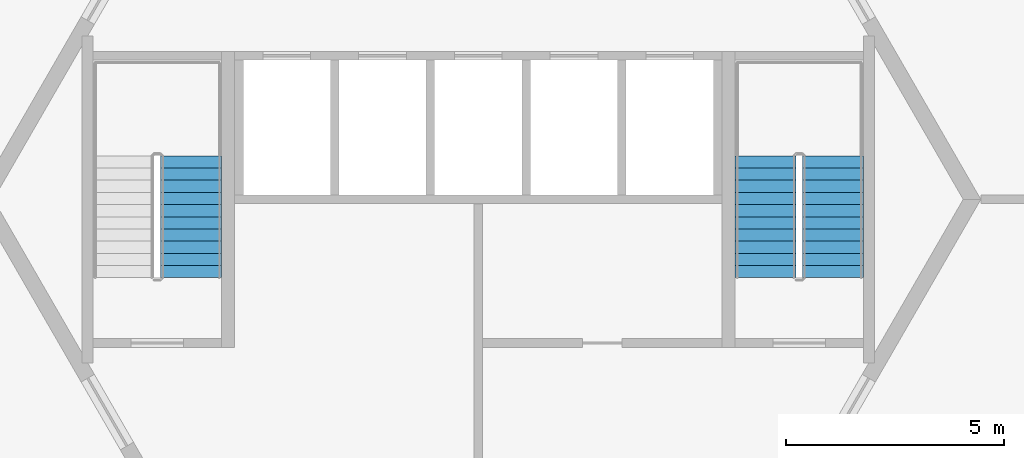
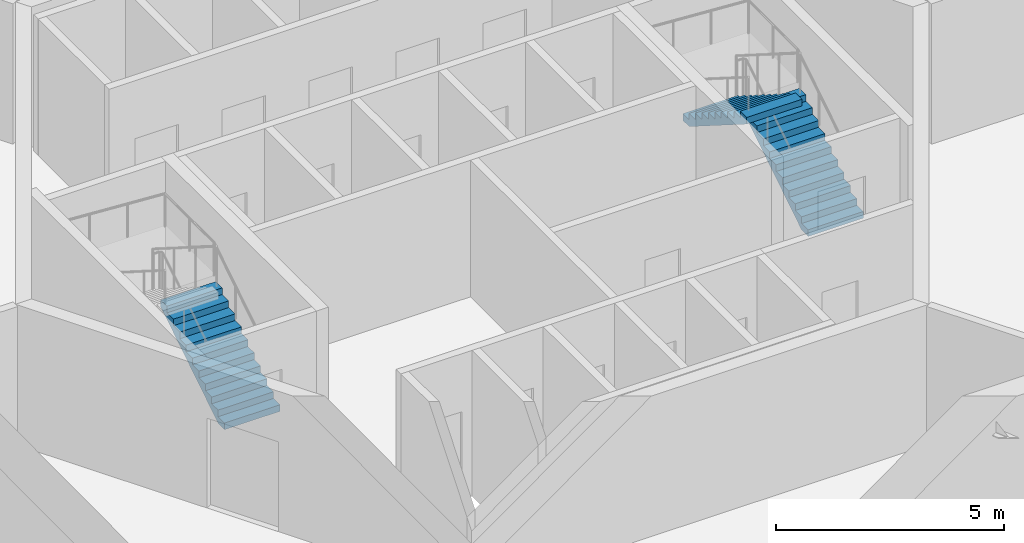
# One storey, part 11 of 12: 3 stair flights, 2 elements without a shape of their own.
"""IFC4 building model written with IfcOpenShell, lengths in metres."""

import ifcopenshell
import ifcopenshell.guid

model = None  # the IFC model being written
_history = None  # IfcOwnerHistory: only IFC2X3 demands one
_inside = {}  # id of a spatial element -> (the spatial element, [elements in it])
_under = {}  # id of a project, library or spatial element -> (it, [spatial elements below it])
_declared = {}  # id of a project -> (the project, [libraries it declares])
_typed = {}  # id of a type object -> (the type object, [elements of that type])
_made_of = {}  # id of a material, layer set ... -> (it, [elements and type objects made of it])


def new_model(schema):
    """Start an empty IFC model of exactly this schema.

    Asked for "IFC4X3", IfcOpenShell would pick the latest addendum, in which some entities
    have other attributes; the version numbers below select the first issue.
    IFC2X3 requires an IfcOwnerHistory on every rooted entity: one is made here for all.
    """
    global model, _history
    if schema == "IFC4X3":
        model = ifcopenshell.file(schema_version=(4, 3, 0, 0))
    else:
        model = ifcopenshell.file(schema=schema)
    _inside.clear()
    _under.clear()
    _declared.clear()
    _typed.clear()
    _made_of.clear()
    _history = None
    if model.schema == "IFC2X3":
        org = make("IfcOrganization", Name="unknown")
        user = make(
            "IfcPersonAndOrganization",
            ThePerson=make("IfcPerson", FamilyName="unknown"),
            TheOrganization=org,
        )
        app = make(
            "IfcApplication",
            ApplicationDeveloper=org,
            Version="unknown",
            ApplicationFullName="unknown",
            ApplicationIdentifier="unknown",
        )
        _history = make(
            "IfcOwnerHistory",
            OwningUser=user,
            OwningApplication=app,
            ChangeAction="ADDED",
            CreationDate=0,
        )
    return model


def make(cls, **values):
    """One entity of the class cls with the attributes given. An attribute that is None is left unset."""
    return model.create_entity(
        cls, **{name: value for name, value in values.items() if value is not None}
    )


def rooted(cls, **values):
    """An entity with a GlobalId (a new one), such as an element, a storey or a relation."""
    return make(cls, GlobalId=ifcopenshell.guid.new(), OwnerHistory=_history, **values)


def si_unit(unit_type, name, prefix=None):
    """IfcSIUnit, for example si_unit("LENGTHUNIT", "METRE", prefix="MILLI")."""
    return make("IfcSIUnit", UnitType=unit_type, Prefix=prefix, Name=name)


def assignment(units):
    """IfcUnitAssignment: the units of a project."""
    return None if units is None else make("IfcUnitAssignment", Units=units)


def point(xyz):
    """IfcCartesianPoint."""
    return None if xyz is None else make("IfcCartesianPoint", Coordinates=xyz)


def direction(xyz):
    """IfcDirection."""
    return None if xyz is None else make("IfcDirection", DirectionRatios=xyz)


def frame(location, z_axis=None, x_axis=None):
    """IfcAxis2Placement3D, a coordinate frame: its origin and axes. An axis left out is left unset."""
    return make(
        "IfcAxis2Placement3D",
        Location=point(location),
        Axis=direction(z_axis),
        RefDirection=direction(x_axis),
    )


def origin():
    """The frame at (0, 0, 0) with its axes left unset."""
    return frame((0.0, 0.0, 0.0))


def place(relative_to, where):
    """IfcLocalPlacement: puts the frame where relative to a parent placement (None: the world)."""
    return make(
        "IfcLocalPlacement", PlacementRelTo=relative_to, RelativePlacement=where
    )


def context(
    kind, dimensions, precision=None, world=None, true_north=None, identifier=None
):
    """IfcGeometricRepresentationContext, for example the 3D "Model" context."""
    return make(
        "IfcGeometricRepresentationContext",
        ContextIdentifier=identifier,
        ContextType=kind,
        CoordinateSpaceDimension=dimensions,
        Precision=precision,
        WorldCoordinateSystem=world,
        TrueNorth=true_north,
    )


def subcontext(parent, identifier, kind, view, scale=None):
    """IfcGeometricRepresentationSubContext, for example "Body" below "Model"."""
    return make(
        "IfcGeometricRepresentationSubContext",
        ContextIdentifier=identifier,
        ContextType=kind,
        ParentContext=parent,
        TargetScale=scale,
        TargetView=view,
    )


def project(units=None, contexts=None):
    """IfcProject with its units and contexts."""
    return rooted(
        "IfcProject",
        Name="project",
        RepresentationContexts=contexts,
        UnitsInContext=assignment(units),
    )


def spatial(cls, under=None, at=None, **own):
    """A site, building, storey or space (cls), placed at a placement, below another one or the project."""
    s = rooted(cls, ObjectPlacement=at, **own)
    if under is not None:
        _under.setdefault(under.id(), (under, []))[1].append(s)
    return s


def polyline(points):
    """IfcPolyline through the points."""
    return make("IfcPolyline", Points=[point(p) for p in points])


def outline(outer, holes=None, kind="AREA"):
    """IfcArbitraryClosedProfileDef: a profile drawn as a closed curve; with holes, ...WithVoids."""
    if holes is None:
        return make("IfcArbitraryClosedProfileDef", ProfileType=kind, OuterCurve=outer)
    return make(
        "IfcArbitraryProfileDefWithVoids",
        ProfileType=kind,
        OuterCurve=outer,
        InnerCurves=holes,
    )


def extrude(swept, where, along, depth):
    """IfcExtrudedAreaSolid: the profile swept, set in the frame where, extruded along a direction by depth."""
    return make(
        "IfcExtrudedAreaSolid",
        SweptArea=swept,
        Position=where,
        ExtrudedDirection=direction(along),
        Depth=depth,
    )


def shape(context_of_items, identifier, shape_type, items):
    """IfcShapeRepresentation: the items that make up one representation, for example the "Body"."""
    return make(
        "IfcShapeRepresentation",
        ContextOfItems=context_of_items,
        RepresentationIdentifier=identifier,
        RepresentationType=shape_type,
        Items=items,
    )


def material(Name=None, Category=None):
    """IfcMaterial."""
    return make("IfcMaterial", Name=Name, Category=Category)


def made_of(thing, what):
    """Note that an element or type object is made of a material, layer set ...; save() writes the relation."""
    if what is not None:
        _made_of.setdefault(what.id(), (what, []))[1].append(thing)
    return thing


def type_object(cls, material=None, **own):
    """A type object (cls), such as IfcWallType, which elements share."""
    return made_of(rooted(cls, **own), material)


def element(
    cls,
    number,
    at=None,
    inside=None,
    cuts=None,
    type_object=None,
    material=None,
    context=None,
    identifier="Body",
    shape_type=None,
    held_by="IfcProductDefinitionShape",
    body=None,
    shapes=None,
    **own,
):
    """One element of the class cls, such as IfcWall. Its Tag is "e" and its number.

    at: its placement. inside: the storey or other place that contains it. cuts: it is an
    opening in that element (IfcRelVoidsElement). A single representation is given by context,
    identifier, shape_type and body (its items); several are given by shapes. held_by: the class
    of the entity that holds the representations. save() writes the other relations.
    """
    e = rooted(cls, Tag="e%d" % number, ObjectPlacement=at, **own)
    if body is not None:
        shapes = [shape(context, identifier, shape_type, body)]
    if shapes is not None:
        e.Representation = make(held_by, Representations=shapes)
    if inside is not None:
        _inside.setdefault(inside.id(), (inside, []))[1].append(e)
    if cuts is not None:
        rooted(
            "IfcRelVoidsElement", RelatingBuildingElement=cuts, RelatedOpeningElement=e
        )
    if type_object is not None:
        _typed.setdefault(type_object.id(), (type_object, []))[1].append(e)
    return made_of(e, material)


def aggregate(whole, parts):
    """IfcRelAggregates: a whole, such as a stair, and the parts it consists of."""
    return rooted("IfcRelAggregates", RelatingObject=whole, RelatedObjects=parts)


def save(model, path):
    """Write the relations noted so far, then the file.

    IfcRelAggregates (storeys below a building ...), IfcRelContainedInSpatialStructure (elements
    in a storey), IfcRelDefinesByType, IfcRelAssociatesMaterial and IfcRelDeclares: one each for
    every whole, place, type object, material and project.
    """
    for whole, parts in _under.values():
        aggregate(whole, parts)
    for where, things in _inside.values():
        rooted(
            "IfcRelContainedInSpatialStructure",
            RelatedElements=things,
            RelatingStructure=where,
        )
    for kind, things in _typed.values():
        rooted("IfcRelDefinesByType", RelatedObjects=things, RelatingType=kind)
    for what, things in _made_of.values():
        rooted("IfcRelAssociatesMaterial", RelatedObjects=things, RelatingMaterial=what)
    for by, libraries in _declared.values():
        rooted("IfcRelDeclares", RelatingContext=by, RelatedDefinitions=libraries)
    model.write(path)


model = new_model("IFC4")

# Units and contexts
model_context = context("Model", 3, precision=1e-05, world=origin(), true_north=direction((0.0, 1.0)))
body_context = subcontext(model_context, "Body", "Model", "MODEL_VIEW")
ifc_project = project(units=[si_unit("LENGTHUNIT", "METRE"), si_unit("AREAUNIT", "SQUARE_METRE"), si_unit("VOLUMEUNIT", "CUBIC_METRE"), si_unit("PLANEANGLEUNIT", "RADIAN"), si_unit("MASSUNIT", "GRAM", prefix="KILO")], contexts=[model_context])

# Site, building, storey
site_placement = place(None, origin())
site = spatial("IfcSite", under=ifc_project, at=site_placement, CompositionType="ELEMENT")
building_placement = place(site_placement, origin())
building = spatial("IfcBuilding", under=site, at=building_placement, Name="Tarnside Tower", CompositionType="ELEMENT")
storey_placement = place(building_placement, frame((0.0, 0.0, 88.199951171875)))
storey = spatial("IfcBuildingStorey", under=building, at=storey_placement, Name="L19", CompositionType="ELEMENT", Elevation=88.199951171875)

# Stair, stair flights
ifc_material = material(Name="Concrete C40/50", Category="concrete")
stair_type = type_object("IfcStairType", Name="Exit stair 1400 clear", PredefinedType="HALF_TURN_STAIR", material=ifc_material)
stair_1_placement = place(storey_placement, origin())
stair_1 = element("IfcStair", 1, at=stair_1_placement, inside=storey, type_object=stair_type, Name="L19 Exit stair 1", PredefinedType="HALF_TURN_STAIR")
stair_flight_type = type_object("IfcStairFlightType", Name="Exit stair flight 1400", PredefinedType="STRAIGHT", material=ifc_material)
stair_flight_1_placement = place(storey_placement, frame((8.14990234375, -1.800048828125, 0.0), z_axis=(0.0, 0.0, 1.0), x_axis=(0.0, 1.0, 0.0)))
stair_flight_1 = element("IfcStairFlight", 2, at=stair_flight_1_placement, type_object=stair_flight_type, Name="ST1 flight 1", NumberOfRisers=11, NumberOfTreads=10, PredefinedType="STRAIGHT", RiserHeight=0.177272727, TreadLength=0.28, context=body_context, shape_type="SweptSolid", body=[
    extrude(outline(polyline([(0.0, 0.0), (0.0, 0.17724609375), (0.280029296875, 0.17724609375), (0.280029296875, 0.3544921875), (0.56005859375, 0.3544921875), (0.56005859375, 0.53173828125), (0.840087890625, 0.53173828125), (0.840087890625, 0.708984375), (1.1201171875, 0.708984375), (1.1201171875, 0.886474609375), (1.39990234375, 0.886474609375), (1.39990234375, 1.063720703125), (1.679931640625, 1.063720703125), (1.679931640625, 1.240966796875), (1.9599609375, 1.240966796875), (1.9599609375, 1.418212890625), (2.239990234375, 1.418212890625), (2.239990234375, 1.595458984375), (2.52001953125, 1.595458984375), (2.52001953125, 1.772705078125), (2.800048828125, 1.772705078125), (2.800048828125, 1.949951171875), (2.800048828125, 1.59521484375), (0.2802734375, 0.0), (0.0, 0.0)])), frame((0.0, 0.699951171875, 0.0), z_axis=(0.0, -1.0, 0.0), x_axis=(1.0, 0.0, 0.0)), (0.0, 0.0, 1.0), 1.39990234375),
])
stair_flight_2_placement = place(storey_placement, frame((6.60009765625, 1.0, 1.949951171875), z_axis=(0.0, 0.0, 1.0), x_axis=(0.0, -1.0, 0.0)))
stair_flight_2 = element("IfcStairFlight", 3, at=stair_flight_2_placement, type_object=stair_flight_type, Name="ST1 flight 2", NumberOfRisers=11, NumberOfTreads=10, PredefinedType="STRAIGHT", RiserHeight=0.177272727, TreadLength=0.28, context=body_context, shape_type="SweptSolid", body=[
    extrude(outline(polyline([(0.0, 0.0), (0.0, 0.17724609375), (0.280029296875, 0.17724609375), (0.280029296875, 0.3544921875), (0.56005859375, 0.3544921875), (0.56005859375, 0.53173828125), (0.840087890625, 0.53173828125), (0.840087890625, 0.708984375), (1.1201171875, 0.708984375), (1.1201171875, 0.886474609375), (1.39990234375, 0.886474609375), (1.39990234375, 1.063720703125), (1.679931640625, 1.063720703125), (1.679931640625, 1.240966796875), (1.9599609375, 1.240966796875), (1.9599609375, 1.418212890625), (2.239990234375, 1.418212890625), (2.239990234375, 1.595458984375), (2.52001953125, 1.595458984375), (2.52001953125, 1.772705078125), (2.800048828125, 1.772705078125), (2.800048828125, 1.949951171875), (2.800048828125, 1.59521484375), (0.2802734375, 0.0), (0.0, 0.0)])), frame((0.0, 0.699951171875, 0.0), z_axis=(0.0, -1.0, 0.0), x_axis=(1.0, 0.0, 0.0)), (0.0, 0.0, 1.0), 1.39990234375),
])
aggregate(stair_1, [stair_flight_1, stair_flight_2])

# Stair, stair flight
stair_2_placement = place(storey_placement, origin())
stair_2 = element("IfcStair", 4, at=stair_2_placement, inside=storey, type_object=stair_type, Name="L19 Exit stair 2", PredefinedType="HALF_TURN_STAIR")
stair_flight_3_placement = place(storey_placement, frame((-6.60009765625, -1.800048828125, 0.0), z_axis=(0.0, 0.0, 1.0), x_axis=(0.0, 1.0, 0.0)))
stair_flight_3 = element("IfcStairFlight", 5, at=stair_flight_3_placement, type_object=stair_flight_type, Name="ST2 flight 1", NumberOfRisers=11, NumberOfTreads=10, PredefinedType="STRAIGHT", RiserHeight=0.177272727, TreadLength=0.28, context=body_context, shape_type="SweptSolid", body=[
    extrude(outline(polyline([(0.0, 0.0), (0.0, 0.17724609375), (0.280029296875, 0.17724609375), (0.280029296875, 0.3544921875), (0.56005859375, 0.3544921875), (0.56005859375, 0.53173828125), (0.840087890625, 0.53173828125), (0.840087890625, 0.708984375), (1.1201171875, 0.708984375), (1.1201171875, 0.886474609375), (1.39990234375, 0.886474609375), (1.39990234375, 1.063720703125), (1.679931640625, 1.063720703125), (1.679931640625, 1.240966796875), (1.9599609375, 1.240966796875), (1.9599609375, 1.418212890625), (2.239990234375, 1.418212890625), (2.239990234375, 1.595458984375), (2.52001953125, 1.595458984375), (2.52001953125, 1.772705078125), (2.800048828125, 1.772705078125), (2.800048828125, 1.949951171875), (2.800048828125, 1.59521484375), (0.2802734375, 0.0), (0.0, 0.0)])), frame((0.0, 0.699951171875, 0.0), z_axis=(0.0, -1.0, 0.0), x_axis=(1.0, 0.0, 0.0)), (0.0, 0.0, 1.0), 1.39990234375),
])
aggregate(stair_2, [stair_flight_3])

save(model, "model.ifc")
